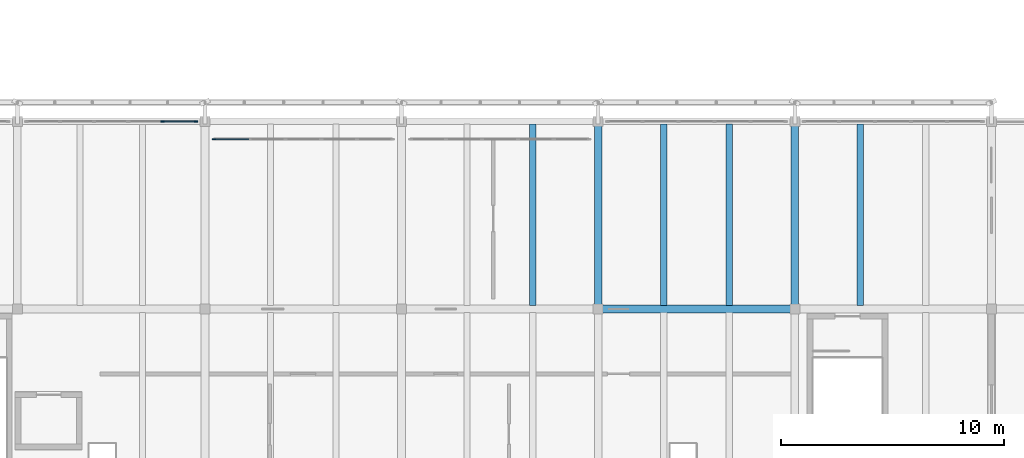
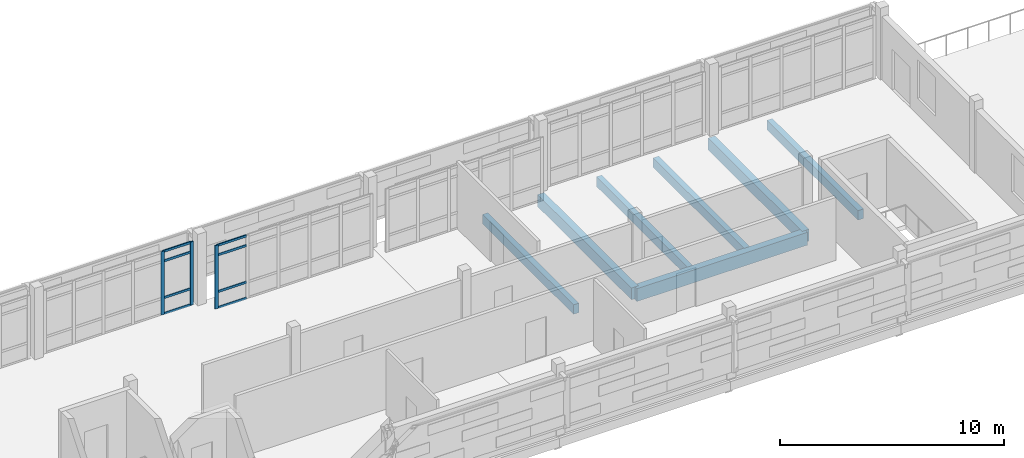
# One storey, part 27 of 117: 11 members, 7 beams, 2 elements without a shape of their own.
"""IFC4 building model written with IfcOpenShell, lengths in metres."""

import ifcopenshell
import ifcopenshell.guid

model = None  # the IFC model being written
_history = None  # IfcOwnerHistory: only IFC2X3 demands one
_inside = {}  # id of a spatial element -> (the spatial element, [elements in it])
_under = {}  # id of a project, library or spatial element -> (it, [spatial elements below it])
_declared = {}  # id of a project -> (the project, [libraries it declares])
_typed = {}  # id of a type object -> (the type object, [elements of that type])
_made_of = {}  # id of a material, layer set ... -> (it, [elements and type objects made of it])


def new_model(schema):
    """Start an empty IFC model of exactly this schema.

    Asked for "IFC4X3", IfcOpenShell would pick the latest addendum, in which some entities
    have other attributes; the version numbers below select the first issue.
    IFC2X3 requires an IfcOwnerHistory on every rooted entity: one is made here for all.
    """
    global model, _history
    if schema == "IFC4X3":
        model = ifcopenshell.file(schema_version=(4, 3, 0, 0))
    else:
        model = ifcopenshell.file(schema=schema)
    _inside.clear()
    _under.clear()
    _declared.clear()
    _typed.clear()
    _made_of.clear()
    _history = None
    if model.schema == "IFC2X3":
        org = make("IfcOrganization", Name="unknown")
        user = make(
            "IfcPersonAndOrganization",
            ThePerson=make("IfcPerson", FamilyName="unknown"),
            TheOrganization=org,
        )
        app = make(
            "IfcApplication",
            ApplicationDeveloper=org,
            Version="unknown",
            ApplicationFullName="unknown",
            ApplicationIdentifier="unknown",
        )
        _history = make(
            "IfcOwnerHistory",
            OwningUser=user,
            OwningApplication=app,
            ChangeAction="ADDED",
            CreationDate=0,
        )
    return model


def make(cls, **values):
    """One entity of the class cls with the attributes given. An attribute that is None is left unset."""
    return model.create_entity(
        cls, **{name: value for name, value in values.items() if value is not None}
    )


def rooted(cls, **values):
    """An entity with a GlobalId (a new one), such as an element, a storey or a relation."""
    return make(cls, GlobalId=ifcopenshell.guid.new(), OwnerHistory=_history, **values)


def si_unit(unit_type, name, prefix=None):
    """IfcSIUnit, for example si_unit("LENGTHUNIT", "METRE", prefix="MILLI")."""
    return make("IfcSIUnit", UnitType=unit_type, Prefix=prefix, Name=name)


def assignment(units):
    """IfcUnitAssignment: the units of a project."""
    return None if units is None else make("IfcUnitAssignment", Units=units)


def point(xyz):
    """IfcCartesianPoint."""
    return None if xyz is None else make("IfcCartesianPoint", Coordinates=xyz)


def direction(xyz):
    """IfcDirection."""
    return None if xyz is None else make("IfcDirection", DirectionRatios=xyz)


def frame(location, z_axis=None, x_axis=None):
    """IfcAxis2Placement3D, a coordinate frame: its origin and axes. An axis left out is left unset."""
    return make(
        "IfcAxis2Placement3D",
        Location=point(location),
        Axis=direction(z_axis),
        RefDirection=direction(x_axis),
    )


def frame_2d(location, x_axis=None):
    """IfcAxis2Placement2D, a coordinate frame in the plane: its origin and x axis."""
    return make(
        "IfcAxis2Placement2D", Location=point(location), RefDirection=direction(x_axis)
    )


def origin():
    """The frame at (0, 0, 0) with its axes left unset."""
    return frame((0.0, 0.0, 0.0))


def origin_2d():
    """The frame at (0, 0) in the plane with its x axis left unset."""
    return frame_2d((0.0, 0.0))


def place(relative_to, where):
    """IfcLocalPlacement: puts the frame where relative to a parent placement (None: the world)."""
    return make(
        "IfcLocalPlacement", PlacementRelTo=relative_to, RelativePlacement=where
    )


def context(
    kind, dimensions, precision=None, world=None, true_north=None, identifier=None
):
    """IfcGeometricRepresentationContext, for example the 3D "Model" context."""
    return make(
        "IfcGeometricRepresentationContext",
        ContextIdentifier=identifier,
        ContextType=kind,
        CoordinateSpaceDimension=dimensions,
        Precision=precision,
        WorldCoordinateSystem=world,
        TrueNorth=true_north,
    )


def subcontext(parent, identifier, kind, view, scale=None):
    """IfcGeometricRepresentationSubContext, for example "Body" below "Model"."""
    return make(
        "IfcGeometricRepresentationSubContext",
        ContextIdentifier=identifier,
        ContextType=kind,
        ParentContext=parent,
        TargetScale=scale,
        TargetView=view,
    )


def project(units=None, contexts=None):
    """IfcProject with its units and contexts."""
    return rooted(
        "IfcProject",
        Name="project",
        RepresentationContexts=contexts,
        UnitsInContext=assignment(units),
    )


def spatial(cls, under=None, at=None, **own):
    """A site, building, storey or space (cls), placed at a placement, below another one or the project."""
    s = rooted(cls, ObjectPlacement=at, **own)
    if under is not None:
        _under.setdefault(under.id(), (under, []))[1].append(s)
    return s


def profile(cls, at=None, kind="AREA", **sizes):
    """A parametric profile (cls). Its sizes go by their IFC names, for example OverallWidth=200.0."""
    return make(cls, ProfileType=kind, Position=at, **sizes)


def rectangle(**sizes):
    """IfcRectangleProfileDef."""
    return profile("IfcRectangleProfileDef", **sizes)


def extrude(swept, where, along, depth):
    """IfcExtrudedAreaSolid: the profile swept, set in the frame where, extruded along a direction by depth."""
    return make(
        "IfcExtrudedAreaSolid",
        SweptArea=swept,
        Position=where,
        ExtrudedDirection=direction(along),
        Depth=depth,
    )


def shape(context_of_items, identifier, shape_type, items):
    """IfcShapeRepresentation: the items that make up one representation, for example the "Body"."""
    return make(
        "IfcShapeRepresentation",
        ContextOfItems=context_of_items,
        RepresentationIdentifier=identifier,
        RepresentationType=shape_type,
        Items=items,
    )


def material(Name=None, Category=None):
    """IfcMaterial."""
    return make("IfcMaterial", Name=Name, Category=Category)


def material_profile(
    of_material, cross_section, Name=None, Category=None, Priority=None
):
    """IfcMaterialProfile: a cross section and its material."""
    return make(
        "IfcMaterialProfile",
        Name=Name,
        Material=of_material,
        Profile=cross_section,
        Priority=Priority,
        Category=Category,
    )


def profile_set(profiles, Name=None, composite=None):
    """IfcMaterialProfileSet."""
    return make(
        "IfcMaterialProfileSet",
        Name=Name,
        MaterialProfiles=profiles,
        CompositeProfile=composite,
    )


def made_of(thing, what):
    """Note that an element or type object is made of a material, layer set ...; save() writes the relation."""
    if what is not None:
        _made_of.setdefault(what.id(), (what, []))[1].append(thing)
    return thing


def type_object(cls, material=None, **own):
    """A type object (cls), such as IfcWallType, which elements share."""
    return made_of(rooted(cls, **own), material)


def element(
    cls,
    number,
    at=None,
    inside=None,
    cuts=None,
    type_object=None,
    material=None,
    context=None,
    identifier="Body",
    shape_type=None,
    held_by="IfcProductDefinitionShape",
    body=None,
    shapes=None,
    **own,
):
    """One element of the class cls, such as IfcWall. Its Tag is "e" and its number.

    at: its placement. inside: the storey or other place that contains it. cuts: it is an
    opening in that element (IfcRelVoidsElement). A single representation is given by context,
    identifier, shape_type and body (its items); several are given by shapes. held_by: the class
    of the entity that holds the representations. save() writes the other relations.
    """
    e = rooted(cls, Tag="e%d" % number, ObjectPlacement=at, **own)
    if body is not None:
        shapes = [shape(context, identifier, shape_type, body)]
    if shapes is not None:
        e.Representation = make(held_by, Representations=shapes)
    if inside is not None:
        _inside.setdefault(inside.id(), (inside, []))[1].append(e)
    if cuts is not None:
        rooted(
            "IfcRelVoidsElement", RelatingBuildingElement=cuts, RelatedOpeningElement=e
        )
    if type_object is not None:
        _typed.setdefault(type_object.id(), (type_object, []))[1].append(e)
    return made_of(e, material)


def aggregate(whole, parts):
    """IfcRelAggregates: a whole, such as a stair, and the parts it consists of."""
    return rooted("IfcRelAggregates", RelatingObject=whole, RelatedObjects=parts)


def save(model, path):
    """Write the relations noted so far, then the file.

    IfcRelAggregates (storeys below a building ...), IfcRelContainedInSpatialStructure (elements
    in a storey), IfcRelDefinesByType, IfcRelAssociatesMaterial and IfcRelDeclares: one each for
    every whole, place, type object, material and project.
    """
    for whole, parts in _under.values():
        aggregate(whole, parts)
    for where, things in _inside.values():
        rooted(
            "IfcRelContainedInSpatialStructure",
            RelatedElements=things,
            RelatingStructure=where,
        )
    for kind, things in _typed.values():
        rooted("IfcRelDefinesByType", RelatedObjects=things, RelatingType=kind)
    for what, things in _made_of.values():
        rooted("IfcRelAssociatesMaterial", RelatedObjects=things, RelatingMaterial=what)
    for by, libraries in _declared.values():
        rooted("IfcRelDeclares", RelatingContext=by, RelatedDefinitions=libraries)
    model.write(path)


model = new_model("IFC4")

# Units and contexts
model_context = context("Model", 3, precision=1e-05, world=origin(), true_north=direction((0.0, 1.0)))
body_context = subcontext(model_context, "Body", "Model", "MODEL_VIEW")
ifc_project = project(units=[si_unit("LENGTHUNIT", "METRE"), si_unit("AREAUNIT", "SQUARE_METRE"), si_unit("VOLUMEUNIT", "CUBIC_METRE"), si_unit("PLANEANGLEUNIT", "RADIAN"), si_unit("MASSUNIT", "GRAM", prefix="KILO")], contexts=[model_context])

# Site, building, storey
site_placement = place(None, origin())
site = spatial("IfcSite", under=ifc_project, at=site_placement, CompositionType="ELEMENT")
building_placement = place(site_placement, origin())
building = spatial("IfcBuilding", under=site, at=building_placement, Name="Cinderway Yard Community Centre", CompositionType="ELEMENT")
storey_placement = place(building_placement, frame((0.0, 0.0, 9.0)))
storey = spatial("IfcBuildingStorey", under=building, at=storey_placement, Name="L02", CompositionType="ELEMENT", Elevation=9.0)

# Curtain wall, members
ifc_material_1 = material(Name="Aluminium 6063-T6", Category="aluminium")
curtain_wall_type_1 = type_object("IfcCurtainWallType", Name="ENV-CW-TYPE-29", PredefinedType="USERDEFINED", material=ifc_material_1)
curtain_wall_1_placement = place(storey_placement, origin())
curtain_wall_1 = element("IfcCurtainWall", 1, at=curtain_wall_1_placement, inside=storey, type_object=curtain_wall_type_1, Name="Dining Courtyard Curtain Wall ENV-CW-L02-ST-0102", ObjectType="GLAZED CURTAIN WALL", PredefinedType="USERDEFINED")
ifc_material_profile_1 = material_profile(ifc_material_1, rectangle(XDim=0.06005859375, YDim=0.159912109375, at=origin_2d()), Name="Aluminium 6063-T6")
ifc_profile_set_1 = profile_set([ifc_material_profile_1], Name="Aluminium 6063-T6")
member_type_1 = type_object("IfcMemberType", Name="ENV-CW-MULL-150", PredefinedType="MULLION", material=ifc_profile_set_1)
member_1_placement = place(storey_placement, frame((73.2919921875, 22.800048828125, 0.0), z_axis=(0.0, 0.0, 1.0), x_axis=(0.0, 1.0, 0.0)))
member_1 = element("IfcMember", 2, at=member_1_placement, type_object=member_type_1, Name="CW-29 mullion 5", PredefinedType="MULLION", context=body_context, shape_type="SweptSolid", body=[
    extrude(rectangle(XDim=0.06005859375, YDim=0.159912109375, at=origin_2d()), origin(), (0.0, 0.0, 1.0), 3.449951171875),
])
member_2_placement = place(storey_placement, frame((74.7900390625, 22.800048828125, 0.0), z_axis=(0.0, 0.0, 1.0), x_axis=(0.0, 1.0, 0.0)))
member_2 = element("IfcMember", 3, at=member_2_placement, type_object=member_type_1, Name="CW-29 mullion 6", PredefinedType="MULLION", context=body_context, shape_type="SweptSolid", body=[
    extrude(rectangle(XDim=0.06005859375, YDim=0.159912109375, at=origin_2d()), origin(), (0.0, 0.0, 1.0), 3.449951171875),
])

# Curtain wall, member
curtain_wall_type_2 = type_object("IfcCurtainWallType", Name="ENV-CW-TYPE-30", PredefinedType="USERDEFINED", material=ifc_material_1)
curtain_wall_2_placement = place(storey_placement, origin())
curtain_wall_2 = element("IfcCurtainWall", 4, at=curtain_wall_2_placement, inside=storey, type_object=curtain_wall_type_2, Name="Dining Courtyard Curtain Wall ENV-CW-L02-ST-0103", ObjectType="GLAZED CURTAIN WALL", PredefinedType="USERDEFINED")
member_3_placement = place(storey_placement, frame((75.610107421875, 22.0, 0.0), z_axis=(0.0, 0.0, 1.0), x_axis=(0.0, 1.0, 0.0)))
member_3 = element("IfcMember", 5, at=member_3_placement, type_object=member_type_1, Name="CW-30 mullion 1", PredefinedType="MULLION", context=body_context, shape_type="SweptSolid", body=[
    extrude(rectangle(XDim=0.06005859375, YDim=0.159912109375, at=origin_2d()), origin(), (0.0, 0.0, 1.0), 3.449951171875),
])

# Member
ifc_material_profile_2 = material_profile(ifc_material_1, rectangle(XDim=0.06005859375, YDim=0.1201171875, at=origin_2d()), Name="Aluminium 6063-T6")
ifc_profile_set_2 = profile_set([ifc_material_profile_2], Name="Aluminium 6063-T6")
member_type_2 = type_object("IfcMemberType", Name="ENV-CW-TRAN-110", PredefinedType="USERDEFINED", material=ifc_profile_set_2)
member_4_placement = place(storey_placement, frame((73.322021484375, 22.800048828125, 0.030029296875), z_axis=(1.0, 0.0, 0.0), x_axis=(0.0, 1.0, 0.0)))
member_4 = element("IfcMember", 6, at=member_4_placement, type_object=member_type_2, Name="CW-29 transom 5.1", ObjectType="TRANSOM", PredefinedType="USERDEFINED", context=body_context, shape_type="SweptSolid", body=[
    extrude(rectangle(XDim=0.06005859375, YDim=0.1201171875, at=origin_2d()), origin(), (0.0, 0.0, 1.0), 1.43798828125),
])

member_5_placement = place(storey_placement, frame((73.322021484375, 22.800048828125, 0.89990234375), z_axis=(1.0, 0.0, 0.0), x_axis=(0.0, 1.0, 0.0)))
member_5 = element("IfcMember", 7, at=member_5_placement, type_object=member_type_2, Name="CW-29 transom 5.2", ObjectType="TRANSOM", PredefinedType="USERDEFINED", context=body_context, shape_type="SweptSolid", body=[
    extrude(rectangle(XDim=0.06005859375, YDim=0.1201171875, at=origin_2d()), origin(), (0.0, 0.0, 1.0), 1.43798828125),
])

member_6_placement = place(storey_placement, frame((73.322021484375, 22.800048828125, 2.89990234375), z_axis=(1.0, 0.0, 0.0), x_axis=(0.0, 1.0, 0.0)))
member_6 = element("IfcMember", 8, at=member_6_placement, type_object=member_type_2, Name="CW-29 transom 5.3", ObjectType="TRANSOM", PredefinedType="USERDEFINED", context=body_context, shape_type="SweptSolid", body=[
    extrude(rectangle(XDim=0.06005859375, YDim=0.1201171875, at=origin_2d()), origin(), (0.0, 0.0, 1.0), 1.43798828125),
])

member_7_placement = place(storey_placement, frame((73.322021484375, 22.800048828125, 3.419921875), z_axis=(1.0, 0.0, 0.0), x_axis=(0.0, 1.0, 0.0)))
member_7 = element("IfcMember", 9, at=member_7_placement, type_object=member_type_2, Name="CW-29 transom 5.4", ObjectType="TRANSOM", PredefinedType="USERDEFINED", context=body_context, shape_type="SweptSolid", body=[
    extrude(rectangle(XDim=0.06005859375, YDim=0.1201171875, at=origin_2d()), origin(), (0.0, 0.0, 1.0), 1.43798828125),
])

aggregate(curtain_wall_1, [member_1, member_2, member_4, member_5, member_6, member_7])

member_8_placement = place(storey_placement, frame((75.639892578125, 22.0, 0.030029296875), z_axis=(1.0, 0.0, 0.0), x_axis=(0.0, 1.0, 0.0)))
member_8 = element("IfcMember", 10, at=member_8_placement, type_object=member_type_2, Name="CW-30 transom 1.1", ObjectType="TRANSOM", PredefinedType="USERDEFINED", context=body_context, shape_type="SweptSolid", body=[
    extrude(rectangle(XDim=0.06005859375, YDim=0.1201171875, at=origin_2d()), origin(), (0.0, 0.0, 1.0), 1.51806640625),
])

member_9_placement = place(storey_placement, frame((75.639892578125, 22.0, 0.89990234375), z_axis=(1.0, 0.0, 0.0), x_axis=(0.0, 1.0, 0.0)))
member_9 = element("IfcMember", 11, at=member_9_placement, type_object=member_type_2, Name="CW-30 transom 1.2", ObjectType="TRANSOM", PredefinedType="USERDEFINED", context=body_context, shape_type="SweptSolid", body=[
    extrude(rectangle(XDim=0.06005859375, YDim=0.1201171875, at=origin_2d()), origin(), (0.0, 0.0, 1.0), 1.51806640625),
])

member_10_placement = place(storey_placement, frame((75.639892578125, 22.0, 2.89990234375), z_axis=(1.0, 0.0, 0.0), x_axis=(0.0, 1.0, 0.0)))
member_10 = element("IfcMember", 12, at=member_10_placement, type_object=member_type_2, Name="CW-30 transom 1.3", ObjectType="TRANSOM", PredefinedType="USERDEFINED", context=body_context, shape_type="SweptSolid", body=[
    extrude(rectangle(XDim=0.06005859375, YDim=0.1201171875, at=origin_2d()), origin(), (0.0, 0.0, 1.0), 1.51806640625),
])

member_11_placement = place(storey_placement, frame((75.639892578125, 22.0, 3.419921875), z_axis=(1.0, 0.0, 0.0), x_axis=(0.0, 1.0, 0.0)))
member_11 = element("IfcMember", 13, at=member_11_placement, type_object=member_type_2, Name="CW-30 transom 1.4", ObjectType="TRANSOM", PredefinedType="USERDEFINED", context=body_context, shape_type="SweptSolid", body=[
    extrude(rectangle(XDim=0.06005859375, YDim=0.1201171875, at=origin_2d()), origin(), (0.0, 0.0, 1.0), 1.51806640625),
])

aggregate(curtain_wall_2, [member_3, member_8, member_9, member_10, member_11])

# Beams
ifc_material_2 = material(Name="Concrete C35/45", Category="concrete")
ifc_material_profile_3 = material_profile(ifc_material_2, rectangle(XDim=0.280029296875, YDim=0.52001953125, at=origin_2d()), Name="Concrete C35/45")
ifc_profile_set_3 = profile_set([ifc_material_profile_3], Name="Concrete C35/45")
beam_type_1 = type_object("IfcBeamType", Name="STR-BM-RC280X520", PredefinedType="JOIST", material=ifc_profile_set_3)
for number, where, z_axis, x_axis, name in (
    (14, (89.866943359375, 14.556884765625, -0.5), (0.0, 1.0, 0.0), (-1.0, 0.0, 0.0), "Secondary joist STR-BM-L02-BJ04-0484"),
    (15, (95.73291015625, 14.556884765625, -0.5), (0.0, 1.0, 0.0), (-1.0, 0.0, 0.0), "Secondary joist STR-BM-L02-BJ04-0487"),
    (16, (98.6669921875, 14.556884765625, -0.5), (0.0, 1.0, 0.0), (-1.0, 0.0, 0.0), "Secondary joist STR-BM-L02-BJ04-0488"),
    (17, (104.532958984375, 14.556884765625, -0.5), (0.0, 1.0, 0.0), (-1.0, 0.0, 0.0), "Secondary joist STR-BM-L02-BJ04-0490"),
):
    element("IfcBeam", number, at=place(storey_placement, frame(where, z_axis=z_axis, x_axis=x_axis)), inside=storey, type_object=beam_type_1, Name=name, PredefinedType="JOIST", context=body_context, shape_type="SweptSolid", body=[
        extrude(rectangle(XDim=0.280029296875, YDim=0.52001953125, at=origin_2d()), origin(), (0.0, 0.0, 1.0), 8.131103515625),
    ])
ifc_material_profile_4 = material_profile(ifc_material_2, rectangle(XDim=0.35009765625, YDim=0.64990234375, at=origin_2d()), Name="Concrete C35/45")
ifc_profile_set_4 = profile_set([ifc_material_profile_4], Name="Concrete C35/45")
beam_type_2 = type_object("IfcBeamType", Name="STR-BM-RC350X650", PredefinedType="BEAM", material=ifc_profile_set_4)
for number, where, z_axis, x_axis, name in (
    (18, (92.800048828125, 14.39990234375, -0.56494140625), (0.0, 1.0, 0.0), (-1.0, 0.0, 0.0), "Transverse girder STR-BM-L02-BG08-0464"),
    (19, (101.60009765625, 14.39990234375, -0.56494140625), (0.0, 1.0, 0.0), (-1.0, 0.0, 0.0), "Transverse girder STR-BM-L02-BG08-0466"),
):
    element("IfcBeam", number, at=place(storey_placement, frame(where, z_axis=z_axis, x_axis=x_axis)), inside=storey, type_object=beam_type_2, Name=name, PredefinedType="BEAM", context=body_context, shape_type="SweptSolid", body=[
        extrude(rectangle(XDim=0.35009765625, YDim=0.64990234375, at=origin_2d()), origin(), (0.0, 0.0, 1.0), 8.400146484375),
    ])
ifc_material_profile_5 = material_profile(ifc_material_2, rectangle(XDim=0.35009765625, YDim=0.699951171875, at=origin_2d()), Name="Concrete C35/45")
ifc_profile_set_5 = profile_set([ifc_material_profile_5], Name="Concrete C35/45")
beam_type_3 = type_object("IfcBeamType", Name="STR-BM-RC350X700", PredefinedType="BEAM", material=ifc_profile_set_5)
beam_placement = place(storey_placement, frame((92.800048828125, 14.39990234375, -0.590087890625), z_axis=(1.0, 0.0, 0.0), x_axis=(0.0, 1.0, 0.0)))
element("IfcBeam", 20, at=beam_placement, inside=storey, type_object=beam_type_3, Name="Primary girder STR-BM-L02-BG07-0446", PredefinedType="BEAM", context=body_context, shape_type="SweptSolid", body=[
    extrude(rectangle(XDim=0.35009765625, YDim=0.699951171875, at=origin_2d()), origin(), (0.0, 0.0, 1.0), 8.800048828125),
])

save(model, "model.ifc")
